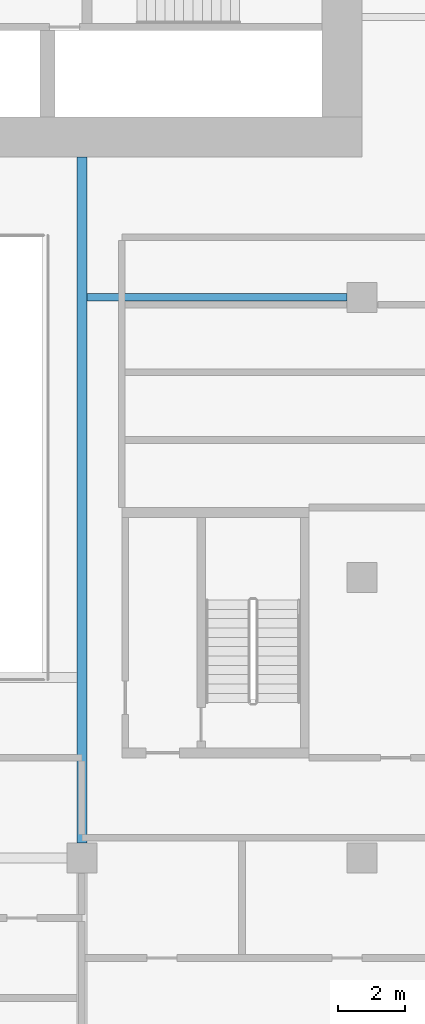
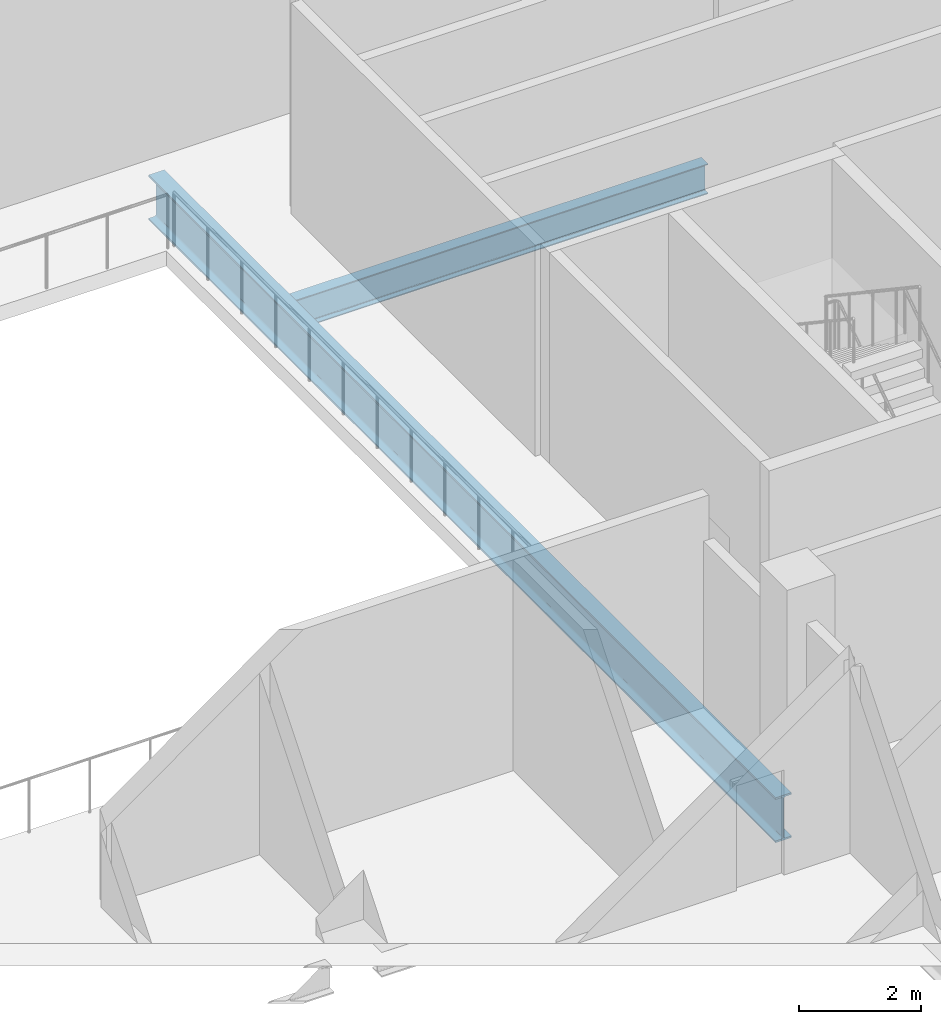
# One storey, part 5 of 23: 2 beams.
"""IFC4 building model written with IfcOpenShell, lengths in metres."""

from ifc_helpers import new_model, si_unit, direction, frame, origin, origin_2d, place, context, subcontext, project, spatial, i_section, extrude, material, material_profile, profile_set, type_object, element, save


model = new_model("IFC4")

# Units and contexts
model_context = context("Model", 3, precision=1e-05, world=origin(), true_north=direction((0.0, 1.0)))
body_context = subcontext(model_context, "Body", "Model", "MODEL_VIEW")
ifc_project = project(units=[si_unit("LENGTHUNIT", "METRE"), si_unit("AREAUNIT", "SQUARE_METRE"), si_unit("VOLUMEUNIT", "CUBIC_METRE"), si_unit("PLANEANGLEUNIT", "RADIAN"), si_unit("MASSUNIT", "GRAM", prefix="KILO")], contexts=[model_context])

# Site, building, storey
site_placement = place(None, origin())
site = spatial("IfcSite", under=ifc_project, at=site_placement, CompositionType="ELEMENT")
building_placement = place(site_placement, origin())
building = spatial("IfcBuilding", under=site, at=building_placement, Name="Saffron Gate Tower", CompositionType="ELEMENT")
storey_placement = place(building_placement, frame((0.0, 0.0, 32.699951171875)))
storey = spatial("IfcBuildingStorey", under=building, at=storey_placement, Name="L06", CompositionType="ELEMENT", Elevation=32.699951171875)

# Beams
ifc_material = material(Name="Structural steel S355", Category="steel")
ifc_material_profile_1 = material_profile(ifc_material, i_section(OverallWidth=0.219970703125, OverallDepth=0.60009765625, WebThickness=0.011962890625, FlangeThickness=0.01904296875, FilletRadius=0.02392578125, at=origin_2d()))
ifc_profile_set_1 = profile_set([ifc_material_profile_1], Name="Structural steel S355")
beam_type_1 = type_object("IfcBeamType", Name="B15 IPE 600", PredefinedType="BEAM", material=ifc_profile_set_1)
beam_1_placement = place(storey_placement, frame((108.14990234375, 57.0, -0.599853515625), z_axis=(-1.0, 0.0, 0.0), x_axis=(0.0, -1.0, 0.0)))
element("IfcBeam", 1, at=beam_1_placement, inside=storey, type_object=beam_type_1, Name="B15 CORE TIE BEAM", PredefinedType="BEAM", context=body_context, shape_type="SweptSolid", body=[
    extrude(i_section(OverallWidth=0.219970703125, OverallDepth=0.60009765625, WebThickness=0.011962890625, FlangeThickness=0.01904296875, FilletRadius=0.02392578125, at=origin_2d()), origin(), (0.0, 0.0, 1.0), 7.7998046875),
])
ifc_material_profile_2 = material_profile(ifc_material, i_section(OverallWidth=0.300048828125, OverallDepth=0.89990234375, WebThickness=0.0185546875, FlangeThickness=0.034912109375, FilletRadius=0.030029296875, at=origin_2d()))
ifc_profile_set_2 = profile_set([ifc_material_profile_2], Name="Structural steel S355")
beam_type_2 = type_object("IfcBeamType", Name="B20 HEB 900", PredefinedType="BEAM", material=ifc_profile_set_2)
beam_2_placement = place(storey_placement, frame((100.199951171875, 40.64990234375, -0.75), z_axis=(0.0, 1.0, 0.0), x_axis=(-1.0, 0.0, 0.0)))
element("IfcBeam", 2, at=beam_2_placement, inside=storey, type_object=beam_type_2, Name="B20 ATRIUM GIRDER", PredefinedType="BEAM", context=body_context, shape_type="SweptSolid", body=[
    extrude(i_section(OverallWidth=0.300048828125, OverallDepth=0.89990234375, WebThickness=0.0185546875, FlangeThickness=0.034912109375, FilletRadius=0.030029296875, at=origin_2d()), origin(), (0.0, 0.0, 1.0), 20.550048828125),
])

save(model, "model.ifc")
